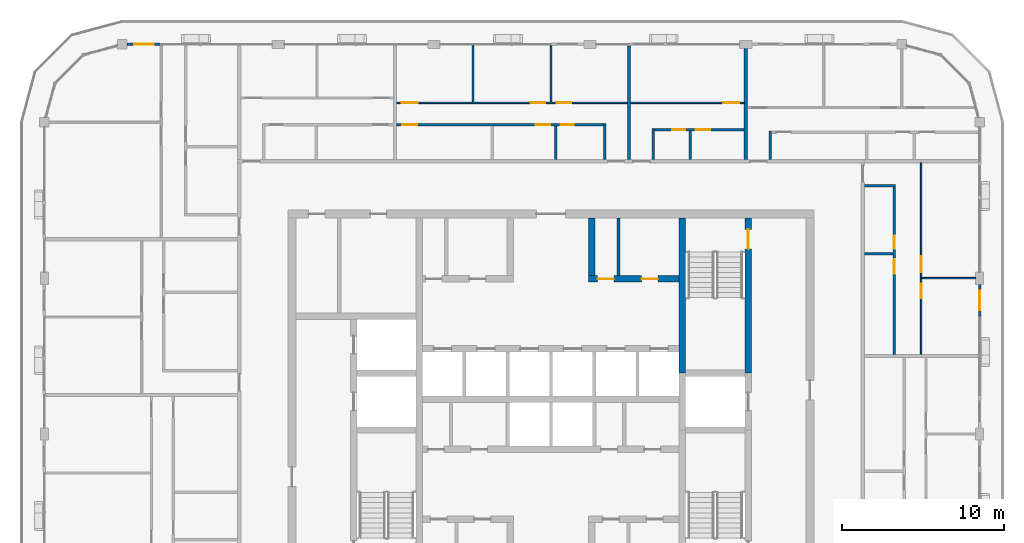
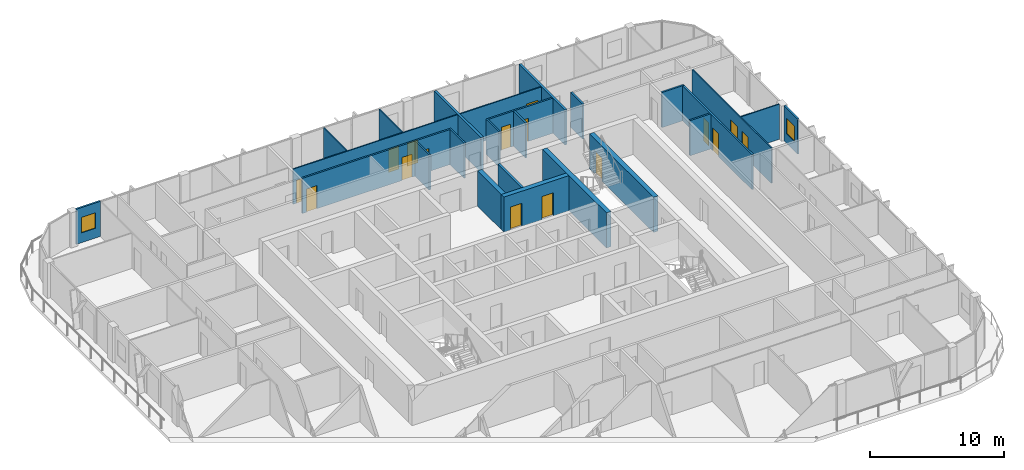
# One storey, part 14 of 21: 25 walls, 16 doors, 2 windows, 18 openings.
"""IFC4 building model written with IfcOpenShell, lengths in metres."""

from ifc_helpers import new_model, si_unit, direction, frame, frame_2d, origin, place, context, subcontext, project, spatial, rectangle, extrude, material, layer, layer_set, type_object, element, fill, save


model = new_model("IFC4")

# Units and contexts
model_context = context("Model", 3, precision=1e-05, world=origin(), true_north=direction((0.0, 1.0)))
body_context = subcontext(model_context, "Body", "Model", "MODEL_VIEW")
ifc_project = project(units=[si_unit("LENGTHUNIT", "METRE"), si_unit("AREAUNIT", "SQUARE_METRE"), si_unit("VOLUMEUNIT", "CUBIC_METRE"), si_unit("PLANEANGLEUNIT", "RADIAN"), si_unit("MASSUNIT", "GRAM", prefix="KILO")], contexts=[model_context])

# Site, building, storey
site_placement = place(None, origin())
site = spatial("IfcSite", under=ifc_project, at=site_placement, CompositionType="ELEMENT")
building_placement = place(site_placement, origin())
building = spatial("IfcBuilding", under=site, at=building_placement, Name="Madar Terraces", CompositionType="ELEMENT")
storey_placement = place(building_placement, frame((0.0, 0.0, 268.60009765625)))
storey = spatial("IfcBuildingStorey", under=building, at=storey_placement, Name="L70", CompositionType="ELEMENT", Elevation=268.60009765625)

# Wall
ifc_material_1 = material(Name="Concrete C50/60", Category="concrete")
ifc_layer_1 = layer(ifc_material_1, 0.39990234375)
ifc_layer_set_1 = layer_set([ifc_layer_1], Name="Concrete C50/60 (CIW6 RC wall 400)")
wall_type_1 = type_object("IfcWallType", Name="CIW6 RC wall 400", PredefinedType="SHEAR", material=ifc_layer_set_1)
wall_1_placement = place(storey_placement, frame((39.300048828125, 27.75, 0.0), z_axis=(0.0, 0.0, 1.0), x_axis=(0.0, 1.0, 0.0)))
element("IfcWall", 1, at=wall_1_placement, inside=storey, type_object=wall_type_1, Name="CORE SHAFT WALL", PredefinedType="SHEAR", context=body_context, shape_type="SweptSolid", body=[
    extrude(rectangle(XDim=9.550048828125, YDim=0.39990234375, at=frame_2d((4.77490234375, 0.0))), origin(), (0.0, 0.0, 1.0), 3.199951171875),
])

# Wall, opening, door
wall_2_placement = place(storey_placement, frame((43.35009765625, 27.75, 0.0), z_axis=(0.0, 0.0, 1.0), x_axis=(0.0, 1.0, 0.0)))
wall_2 = element("IfcWall", 2, at=wall_2_placement, inside=storey, type_object=wall_type_1, Name="CORE SHAFT WALL", PredefinedType="SHEAR", context=body_context, shape_type="SweptSolid", body=[
    extrude(rectangle(XDim=9.550048828125, YDim=0.39990234375, at=frame_2d((4.77490234375, 0.0))), origin(), (0.0, 0.0, 1.0), 3.199951171875),
])
opening_1_placement = place(wall_2_placement, frame((7.64990234375, 0.0, 0.0)))
opening_1 = element("IfcOpeningElement", 3, at=opening_1_placement, cuts=wall_2, Name="Opening SD1", PredefinedType="OPENING", context=body_context, shape_type="SweptSolid", body=[
    extrude(rectangle(XDim=1.199951171875, YDim=2.10009765625, at=frame_2d((0.60009765625, 1.050048828125))), frame((0.0, 0.2099609375, 0.0), z_axis=(0.0, -1.0, 0.0), x_axis=(1.0, 0.0, 0.0)), (0.0, 0.0, 1.0), 0.419921875),
])
ifc_material_2 = material(Name="Steel door leaf", Category="steel")
door_type_1 = type_object("IfcDoorType", Name="Stair door 1200 x 2100", OperationType="NOTDEFINED", PredefinedType="DOOR", material=ifc_material_2)
door_1_placement = place(opening_1_placement, origin())
door_1 = element("IfcDoor", 4, at=door_1_placement, inside=storey, type_object=door_type_1, Name="STAIR DOOR", OperationType="SINGLE_SWING_RIGHT", OverallHeight=2.10009765625, OverallWidth=1.199951171875, PredefinedType="DOOR", context=body_context, shape_type="SweptSolid", body=[
    extrude(rectangle(XDim=1.199951171875, YDim=2.10009765625, at=frame_2d((0.60009765625, 1.050048828125))), frame((0.0, 0.02490234375, 0.0), z_axis=(0.0, -1.0, 0.0), x_axis=(1.0, 0.0, 0.0)), (0.0, 0.0, 1.0), 0.050048828125),
])
fill(opening_1, door_1)

# Wall, openings, doors
wall_3_placement = place(storey_placement, frame((33.5, 33.550048828125, 0.0), z_axis=(0.0, 0.0, 1.0), x_axis=(1.0, 0.0, 0.0)))
wall_3 = element("IfcWall", 5, at=wall_3_placement, inside=storey, type_object=wall_type_1, Name="CORE SHAFT WALL", PredefinedType="SHEAR", context=body_context, shape_type="SweptSolid", body=[
    extrude(rectangle(XDim=5.60009765625, YDim=0.39990234375, at=frame_2d((2.800048828125, 0.0))), origin(), (0.0, 0.0, 1.0), 3.199951171875),
])
opening_2_placement = place(wall_3_placement, frame((0.577880859375, 0.0, 0.0)))
opening_2 = element("IfcOpeningElement", 6, at=opening_2_placement, cuts=wall_3, Name="Opening KD2", PredefinedType="OPENING", context=body_context, shape_type="SweptSolid", body=[
    extrude(rectangle(XDim=1.0, YDim=2.10009765625, at=frame_2d((0.5, 1.050048828125))), frame((0.0, 0.2099609375, 0.0), z_axis=(0.0, -1.0, 0.0), x_axis=(1.0, 0.0, 0.0)), (0.0, 0.0, 1.0), 0.419921875),
])
opening_3_placement = place(wall_3_placement, frame((3.278076171875, 0.0, 0.0)))
opening_3 = element("IfcOpeningElement", 7, at=opening_3_placement, cuts=wall_3, Name="Opening KD2", PredefinedType="OPENING", context=body_context, shape_type="SweptSolid", body=[
    extrude(rectangle(XDim=1.0, YDim=2.10009765625, at=frame_2d((0.5, 1.050048828125))), frame((0.0, 0.2099609375, 0.0), z_axis=(0.0, -1.0, 0.0), x_axis=(1.0, 0.0, 0.0)), (0.0, 0.0, 1.0), 0.419921875),
])
ifc_material_3 = material(Name="Steel door leaf", Category="steel")
door_type_2 = type_object("IfcDoorType", Name="Service room door 1000 x 2100", OperationType="NOTDEFINED", PredefinedType="DOOR", material=ifc_material_3)
door_2_placement = place(opening_2_placement, frame((1.0, 0.0, 0.0), z_axis=(0.0, 0.0, 1.0), x_axis=(-1.0, 0.0, 0.0)))
door_2 = element("IfcDoor", 8, at=door_2_placement, inside=storey, type_object=door_type_2, Name="SERVICE ROOM DOOR", OperationType="SINGLE_SWING_LEFT", OverallHeight=2.10009765625, OverallWidth=1.0, PredefinedType="DOOR", context=body_context, shape_type="SweptSolid", body=[
    extrude(rectangle(XDim=1.0, YDim=2.10009765625, at=frame_2d((0.5, 1.050048828125))), frame((0.0, 0.02490234375, 0.0), z_axis=(0.0, -1.0, 0.0), x_axis=(1.0, 0.0, 0.0)), (0.0, 0.0, 1.0), 0.050048828125),
])
fill(opening_2, door_2)
door_3_placement = place(opening_3_placement, frame((1.0, 0.0, 0.0), z_axis=(0.0, 0.0, 1.0), x_axis=(-1.0, 0.0, 0.0)))
door_3 = element("IfcDoor", 9, at=door_3_placement, inside=storey, type_object=door_type_2, Name="SERVICE ROOM DOOR", OperationType="SINGLE_SWING_RIGHT", OverallHeight=2.10009765625, OverallWidth=1.0, PredefinedType="DOOR", context=body_context, shape_type="SweptSolid", body=[
    extrude(rectangle(XDim=1.0, YDim=2.10009765625, at=frame_2d((0.5, 1.050048828125))), frame((0.0, 0.02490234375, 0.0), z_axis=(0.0, -1.0, 0.0), x_axis=(1.0, 0.0, 0.0)), (0.0, 0.0, 1.0), 0.050048828125),
])
fill(opening_3, door_3)

# Walls
wall_4_placement = place(storey_placement, frame((33.699951171875, 33.75, 0.0), z_axis=(0.0, 0.0, 1.0), x_axis=(0.0, 1.0, 0.0)))
element("IfcWall", 10, at=wall_4_placement, inside=storey, type_object=wall_type_1, Name="CORE SHAFT WALL", PredefinedType="SHEAR", context=body_context, shape_type="SweptSolid", body=[
    extrude(rectangle(XDim=3.550048828125, YDim=0.39990234375, at=frame_2d((1.77490234375, 0.0))), origin(), (0.0, 0.0, 1.0), 3.199951171875),
])
ifc_material_4 = material(Name="Masonry blockwork", Category="masonry")
ifc_layer_2 = layer(ifc_material_4, 0.199951171875)
ifc_layer_set_2 = layer_set([ifc_layer_2], Name="Core partition 200 blockwork")
wall_type_2 = type_object("IfcWallType", Name="Core partition 200 blockwork", PredefinedType="PARTITIONING", material=ifc_layer_set_2)
wall_5_placement = place(storey_placement, frame((35.35595703125, 33.75, 0.0), z_axis=(0.0, 0.0, 1.0), x_axis=(0.0, 1.0, 0.0)))
element("IfcWall", 11, at=wall_5_placement, inside=storey, type_object=wall_type_2, Name="SERVICE ROOM PARTITION", PredefinedType="PARTITIONING", context=body_context, shape_type="SweptSolid", body=[
    extrude(rectangle(XDim=3.550048828125, YDim=0.199951171875, at=frame_2d((1.77490234375, 0.0))), origin(), (0.0, 0.0, 1.0), 3.199951171875),
])

# Wall, opening, window
ifc_material_5 = material(Name="Aluminium composite panel, black, over insulated backing", Category="aluminium")
ifc_layer_3 = layer(ifc_material_5, 0.14990234375)
ifc_layer_set_3 = layer_set([ifc_layer_3], Name="Facade bay panel 150")
wall_type_3 = type_object("IfcWallType", Name="Facade bay panel 150", PredefinedType="SOLIDWALL", material=ifc_layer_set_3)
wall_6_placement = place(storey_placement, frame((57.60009765625, 31.199951171875, 0.0), z_axis=(0.0, 0.0, 1.0), x_axis=(0.0, 1.0, 0.0)))
wall_6 = element("IfcWall", 12, at=wall_6_placement, inside=storey, type_object=wall_type_3, Name="Facade bay panel", PredefinedType="SOLIDWALL", context=body_context, shape_type="SweptSolid", body=[
    extrude(rectangle(XDim=2.025146484375, YDim=0.14990234375, at=frame_2d((1.0126953125, 0.0))), origin(), (0.0, 0.0, 1.0), 3.199951171875),
])
opening_4_placement = place(wall_6_placement, frame((0.41259765625, 0.0, 0.89990234375)))
opening_4 = element("IfcOpeningElement", 13, at=opening_4_placement, cuts=wall_6, Name="Opening W1", PredefinedType="OPENING", context=body_context, shape_type="SweptSolid", body=[
    extrude(rectangle(XDim=1.199951171875, YDim=1.39990234375, at=frame_2d((0.60009765625, 0.699951171875))), frame((0.0, 0.0849609375, 0.0), z_axis=(0.0, -1.0, 0.0), x_axis=(1.0, 0.0, 0.0)), (0.0, 0.0, 1.0), 0.169921875),
])
ifc_material_6 = material(Name="Glass, clear, with black aluminium frame", Category="aluminium")
window_type = type_object("IfcWindowType", Name="Vent window 1200 x 1400", PartitioningType="SINGLE_PANEL", PredefinedType="WINDOW", material=ifc_material_6)
window_1_placement = place(opening_4_placement, origin())
window_1 = element("IfcWindow", 14, at=window_1_placement, inside=storey, type_object=window_type, Name="Operable vent window", OverallHeight=1.39990234375, OverallWidth=1.199951171875, PartitioningType="SINGLE_PANEL", PredefinedType="WINDOW", context=body_context, shape_type="SweptSolid", body=[
    extrude(rectangle(XDim=1.199951171875, YDim=1.39990234375, at=frame_2d((0.60009765625, 0.699951171875))), frame((0.0, 0.030029296875, 0.0), z_axis=(0.0, -1.0, 0.0), x_axis=(1.0, 0.0, 0.0)), (0.0, 0.0, 1.0), 0.06005859375),
])
fill(opening_4, window_1)

wall_7_placement = place(storey_placement, frame((7.199951171875, 48.0, 0.0), z_axis=(0.0, 0.0, 1.0), x_axis=(-1.0, 0.0, 0.0)))
wall_7 = element("IfcWall", 15, at=wall_7_placement, inside=storey, type_object=wall_type_3, Name="Facade bay panel", PredefinedType="SOLIDWALL", context=body_context, shape_type="SweptSolid", body=[
    extrude(rectangle(XDim=2.099853515625, YDim=0.14990234375, at=frame_2d((1.0498046875, 0.0))), origin(), (0.0, 0.0, 1.0), 3.199951171875),
])
opening_5_placement = place(wall_7_placement, frame((0.449951171875, 0.0, 0.89990234375)))
opening_5 = element("IfcOpeningElement", 16, at=opening_5_placement, cuts=wall_7, Name="Opening W1", PredefinedType="OPENING", context=body_context, shape_type="SweptSolid", body=[
    extrude(rectangle(XDim=1.199951171875, YDim=1.39990234375, at=frame_2d((0.60009765625, 0.699951171875))), frame((0.0, 0.0849609375, 0.0), z_axis=(0.0, -1.0, 0.0), x_axis=(1.0, 0.0, 0.0)), (0.0, 0.0, 1.0), 0.169921875),
])
window_2_placement = place(opening_5_placement, origin())
window_2 = element("IfcWindow", 17, at=window_2_placement, inside=storey, type_object=window_type, Name="Operable vent window", OverallHeight=1.39990234375, OverallWidth=1.199951171875, PartitioningType="SINGLE_PANEL", PredefinedType="WINDOW", context=body_context, shape_type="SweptSolid", body=[
    extrude(rectangle(XDim=1.199951171875, YDim=1.39990234375, at=frame_2d((0.60009765625, 0.699951171875))), frame((0.0, 0.030029296875, 0.0), z_axis=(0.0, -1.0, 0.0), x_axis=(1.0, 0.0, 0.0)), (0.0, 0.0, 1.0), 0.06005859375),
])
fill(opening_5, window_2)

# Wall
ifc_material_7 = material(Name="Gypsum board on steel studs", Category="steel")
ifc_layer_4 = layer(ifc_material_7, 0.10009765625)
ifc_layer_set_4 = layer_set([ifc_layer_4], Name="Flat partition 100")
wall_type_4 = type_object("IfcWallType", Name="Flat partition 100", PredefinedType="PARTITIONING", material=ifc_layer_set_4)
wall_8_placement = place(storey_placement, frame((54.050048828125, 33.60009765625, 0.0), z_axis=(0.0, 0.0, 1.0), x_axis=(1.0, 0.0, 0.0)))
element("IfcWall", 18, at=wall_8_placement, inside=storey, type_object=wall_type_4, Name="Flat partition 100", PredefinedType="PARTITIONING", context=body_context, shape_type="SweptSolid", body=[
    extrude(rectangle(XDim=3.300048828125, YDim=0.10009765625, at=frame_2d((1.64990234375, 0.0))), origin(), (0.0, 0.0, 1.0), 3.199951171875),
])

# Wall, openings, doors
wall_9_placement = place(storey_placement, frame((54.0, 40.699951171875, 0.0), z_axis=(0.0, 0.0, 1.0), x_axis=(0.0, -1.0, 0.0)))
wall_9 = element("IfcWall", 19, at=wall_9_placement, inside=storey, type_object=wall_type_4, Name="Flat partition 100", PredefinedType="PARTITIONING", context=body_context, shape_type="SweptSolid", body=[
    extrude(rectangle(XDim=11.800048828125, YDim=0.10009765625, at=frame_2d((5.89990234375, 0.0))), origin(), (0.0, 0.0, 1.0), 3.199951171875),
])
opening_6_placement = place(wall_9_placement, frame((5.75, 0.0, 0.0)))
opening_6 = element("IfcOpeningElement", 20, at=opening_6_placement, cuts=wall_9, Name="Opening D3", PredefinedType="OPENING", context=body_context, shape_type="SweptSolid", body=[
    extrude(rectangle(XDim=1.0, YDim=2.10009765625, at=frame_2d((0.5, 1.050048828125))), frame((0.0, 0.06005859375, 0.0), z_axis=(0.0, -1.0, 0.0), x_axis=(1.0, 0.0, 0.0)), (0.0, 0.0, 1.0), 0.1201171875),
])
opening_7_placement = place(wall_9_placement, frame((7.449951171875, 0.0, 0.0)))
opening_7 = element("IfcOpeningElement", 21, at=opening_7_placement, cuts=wall_9, Name="Opening D2", PredefinedType="OPENING", context=body_context, shape_type="SweptSolid", body=[
    extrude(rectangle(XDim=0.89990234375, YDim=2.10009765625, at=frame_2d((0.449951171875, 1.050048828125))), frame((0.0, 0.06005859375, 0.0), z_axis=(0.0, -1.0, 0.0), x_axis=(1.0, 0.0, 0.0)), (0.0, 0.0, 1.0), 0.1201171875),
])
ifc_material_8 = material(Name="Timber door leaf", Category="wood")
door_type_3 = type_object("IfcDoorType", Name="Flat living room door 1000", OperationType="NOTDEFINED", PredefinedType="DOOR", material=ifc_material_8)
door_4_placement = place(opening_6_placement, origin())
door_4 = element("IfcDoor", 22, at=door_4_placement, inside=storey, type_object=door_type_3, Name="Flat living room door 1000", OperationType="SINGLE_SWING_RIGHT", OverallHeight=2.10009765625, OverallWidth=1.0, PredefinedType="DOOR", context=body_context, shape_type="SweptSolid", body=[
    extrude(rectangle(XDim=1.0, YDim=2.10009765625, at=frame_2d((0.5, 1.050048828125))), frame((0.0, 0.02490234375, 0.0), z_axis=(0.0, -1.0, 0.0), x_axis=(1.0, 0.0, 0.0)), (0.0, 0.0, 1.0), 0.050048828125),
])
fill(opening_6, door_4)
ifc_material_9 = material(Name="Timber door leaf", Category="wood")
door_type_4 = type_object("IfcDoorType", Name="Flat room door 900", OperationType="NOTDEFINED", PredefinedType="DOOR", material=ifc_material_9)
door_5_placement = place(opening_7_placement, origin())
door_5 = element("IfcDoor", 23, at=door_5_placement, inside=storey, type_object=door_type_4, Name="Flat room door 900", OperationType="SINGLE_SWING_LEFT", OverallHeight=2.10009765625, OverallWidth=0.89990234375, PredefinedType="DOOR", context=body_context, shape_type="SweptSolid", body=[
    extrude(rectangle(XDim=0.89990234375, YDim=2.10009765625, at=frame_2d((0.449951171875, 1.050048828125))), frame((0.0, 0.02490234375, 0.0), z_axis=(0.0, -1.0, 0.0), x_axis=(1.0, 0.0, 0.0)), (0.0, 0.0, 1.0), 0.050048828125),
])
fill(opening_7, door_5)

# Wall, opening, door
wall_10_placement = place(storey_placement, frame((36.10009765625, 44.39990234375, 0.0), z_axis=(0.0, 0.0, 1.0), x_axis=(1.0, 0.0, 0.0)))
wall_10 = element("IfcWall", 24, at=wall_10_placement, inside=storey, type_object=wall_type_4, Name="Flat partition 100", PredefinedType="PARTITIONING", context=body_context, shape_type="SweptSolid", body=[
    extrude(rectangle(XDim=7.0, YDim=0.10009765625, at=frame_2d((3.5, 0.0))), origin(), (0.0, 0.0, 1.0), 3.199951171875),
])
opening_8_placement = place(wall_10_placement, frame((5.699951171875, 0.0, 0.0)))
opening_8 = element("IfcOpeningElement", 25, at=opening_8_placement, cuts=wall_10, Name="Opening D3", PredefinedType="OPENING", context=body_context, shape_type="SweptSolid", body=[
    extrude(rectangle(XDim=1.0, YDim=2.10009765625, at=frame_2d((0.5, 1.050048828125))), frame((0.0, 0.06005859375, 0.0), z_axis=(0.0, -1.0, 0.0), x_axis=(1.0, 0.0, 0.0)), (0.0, 0.0, 1.0), 0.1201171875),
])
door_6_placement = place(opening_8_placement, origin())
door_6 = element("IfcDoor", 26, at=door_6_placement, inside=storey, type_object=door_type_3, Name="Flat living room door 1000", OperationType="SINGLE_SWING_RIGHT", OverallHeight=2.10009765625, OverallWidth=1.0, PredefinedType="DOOR", context=body_context, shape_type="SweptSolid", body=[
    extrude(rectangle(XDim=1.0, YDim=2.10009765625, at=frame_2d((0.5, 1.050048828125))), frame((0.0, 0.02490234375, 0.0), z_axis=(0.0, -1.0, 0.0), x_axis=(1.0, 0.0, 0.0)), (0.0, 0.0, 1.0), 0.050048828125),
])
fill(opening_8, door_6)

# Walls
for number, where, z_axis, x_axis, name in (
    (27, (31.199951171875, 44.449951171875, 0.0), (0.0, 0.0, 1.0), (0.0, 1.0, 0.0), "Flat partition 100"),
    (28, (26.39990234375, 44.449951171875, 0.0), (0.0, 0.0, 1.0), (0.0, 1.0, 0.0), "Flat partition 100"),
):
    element("IfcWall", number, at=place(storey_placement, frame(where, z_axis=z_axis, x_axis=x_axis)), inside=storey, type_object=wall_type_4, Name=name, PredefinedType="PARTITIONING", context=body_context, shape_type="SweptSolid", body=[
        extrude(rectangle(XDim=3.449951171875, YDim=0.10009765625, at=frame_2d((1.72509765625, 0.0))), origin(), (0.0, 0.0, 1.0), 3.199951171875),
    ])

# Wall, openings, doors
wall_11_placement = place(storey_placement, frame((21.699951171875, 44.39990234375, 0.0), z_axis=(0.0, 0.0, 1.0), x_axis=(1.0, 0.0, 0.0)))
wall_11 = element("IfcWall", 29, at=wall_11_placement, inside=storey, type_object=wall_type_4, Name="Flat partition 100", PredefinedType="PARTITIONING", context=body_context, shape_type="SweptSolid", body=[
    extrude(rectangle(XDim=14.199951171875, YDim=0.10009765625, at=frame_2d((7.10009765625, 0.0))), origin(), (0.0, 0.0, 1.0), 3.199951171875),
])
opening_9_placement = place(wall_11_placement, frame((9.85009765625, 0.0, 0.0)))
opening_9 = element("IfcOpeningElement", 30, at=opening_9_placement, cuts=wall_11, Name="Opening D2", PredefinedType="OPENING", context=body_context, shape_type="SweptSolid", body=[
    extrude(rectangle(XDim=0.89990234375, YDim=2.10009765625, at=frame_2d((0.449951171875, 1.050048828125))), frame((0.0, 0.06005859375, 0.0), z_axis=(0.0, -1.0, 0.0), x_axis=(1.0, 0.0, 0.0)), (0.0, 0.0, 1.0), 0.1201171875),
])
opening_10_placement = place(wall_11_placement, frame((8.25, 0.0, 0.0)))
opening_10 = element("IfcOpeningElement", 31, at=opening_10_placement, cuts=wall_11, Name="Opening D2", PredefinedType="OPENING", context=body_context, shape_type="SweptSolid", body=[
    extrude(rectangle(XDim=0.89990234375, YDim=2.10009765625, at=frame_2d((0.449951171875, 1.050048828125))), frame((0.0, 0.06005859375, 0.0), z_axis=(0.0, -1.0, 0.0), x_axis=(1.0, 0.0, 0.0)), (0.0, 0.0, 1.0), 0.1201171875),
])
opening_11_placement = place(wall_11_placement, frame((0.300048828125, 0.0, 0.0)))
opening_11 = element("IfcOpeningElement", 32, at=opening_11_placement, cuts=wall_11, Name="Opening D3", PredefinedType="OPENING", context=body_context, shape_type="SweptSolid", body=[
    extrude(rectangle(XDim=1.0, YDim=2.10009765625, at=frame_2d((0.5, 1.050048828125))), frame((0.0, 0.06005859375, 0.0), z_axis=(0.0, -1.0, 0.0), x_axis=(1.0, 0.0, 0.0)), (0.0, 0.0, 1.0), 0.1201171875),
])
door_7_placement = place(opening_11_placement, origin())
door_7 = element("IfcDoor", 33, at=door_7_placement, inside=storey, type_object=door_type_3, Name="Flat living room door 1000", OperationType="SINGLE_SWING_LEFT", OverallHeight=2.10009765625, OverallWidth=1.0, PredefinedType="DOOR", context=body_context, shape_type="SweptSolid", body=[
    extrude(rectangle(XDim=1.0, YDim=2.10009765625, at=frame_2d((0.5, 1.050048828125))), frame((0.0, 0.02490234375, 0.0), z_axis=(0.0, -1.0, 0.0), x_axis=(1.0, 0.0, 0.0)), (0.0, 0.0, 1.0), 0.050048828125),
])
fill(opening_11, door_7)
door_8_placement = place(opening_9_placement, origin())
door_8 = element("IfcDoor", 34, at=door_8_placement, inside=storey, type_object=door_type_4, Name="Flat room door 900", OperationType="SINGLE_SWING_LEFT", OverallHeight=2.10009765625, OverallWidth=0.89990234375, PredefinedType="DOOR", context=body_context, shape_type="SweptSolid", body=[
    extrude(rectangle(XDim=0.89990234375, YDim=2.10009765625, at=frame_2d((0.449951171875, 1.050048828125))), frame((0.0, 0.02490234375, 0.0), z_axis=(0.0, -1.0, 0.0), x_axis=(1.0, 0.0, 0.0)), (0.0, 0.0, 1.0), 0.050048828125),
])
fill(opening_9, door_8)
door_9_placement = place(opening_10_placement, origin())
door_9 = element("IfcDoor", 35, at=door_9_placement, inside=storey, type_object=door_type_4, Name="Flat room door 900", OperationType="SINGLE_SWING_RIGHT", OverallHeight=2.10009765625, OverallWidth=0.89990234375, PredefinedType="DOOR", context=body_context, shape_type="SweptSolid", body=[
    extrude(rectangle(XDim=0.89990234375, YDim=2.10009765625, at=frame_2d((0.449951171875, 1.050048828125))), frame((0.0, 0.02490234375, 0.0), z_axis=(0.0, -1.0, 0.0), x_axis=(1.0, 0.0, 0.0)), (0.0, 0.0, 1.0), 0.050048828125),
])
fill(opening_10, door_9)

# Walls
ifc_material_10 = material(Name="Lightweight blockwork", Category="masonry")
ifc_layer_5 = layer(ifc_material_10, 0.199951171875)
ifc_layer_set_5 = layer_set([ifc_layer_5], Name="Flat party and entrance wall 200")
wall_type_5 = type_object("IfcWallType", Name="Flat party and entrance wall 200", PredefinedType="PARTITIONING", material=ifc_layer_set_5)
wall_12_placement = place(storey_placement, frame((43.199951171875, 47.75, 0.0), z_axis=(0.0, 0.0, 1.0), x_axis=(0.0, -1.0, 0.0)))
element("IfcWall", 36, at=wall_12_placement, inside=storey, type_object=wall_type_5, Name="Flat party and entrance wall 200", PredefinedType="PARTITIONING", context=body_context, shape_type="SweptSolid", body=[
    extrude(rectangle(XDim=6.85009765625, YDim=0.199951171875, at=frame_2d((3.425048828125, 0.0))), origin(), (0.0, 0.0, 1.0), 3.199951171875),
])
wall_13_placement = place(storey_placement, frame((36.0, 47.89990234375, 0.0), z_axis=(0.0, 0.0, 1.0), x_axis=(0.0, -1.0, 0.0)))
element("IfcWall", 37, at=wall_13_placement, inside=storey, type_object=wall_type_5, Name="Flat party and entrance wall 200", PredefinedType="PARTITIONING", context=body_context, shape_type="SweptSolid", body=[
    extrude(rectangle(XDim=7.0, YDim=0.199951171875, at=frame_2d((3.5, 0.0))), origin(), (0.0, 0.0, 1.0), 3.199951171875),
])
ifc_material_11 = material(Name="Lightweight blockwork", Category="masonry")
ifc_layer_6 = layer(ifc_material_11, 0.14990234375)
ifc_layer_set_6 = layer_set([ifc_layer_6], Name="Flat wet-room partition 150")
wall_type_6 = type_object("IfcWallType", Name="Flat wet-room partition 150", PredefinedType="PARTITIONING", material=ifc_layer_set_6)
wall_14_placement = place(storey_placement, frame((50.5, 35.094970703125, 0.0), z_axis=(0.0, 0.0, 1.0), x_axis=(1.0, 0.0, 0.0)))
element("IfcWall", 38, at=wall_14_placement, inside=storey, type_object=wall_type_6, Name="Flat wet-room partition 150", PredefinedType="PARTITIONING", context=body_context, shape_type="SweptSolid", body=[
    extrude(rectangle(XDim=1.77490234375, YDim=0.14990234375, at=frame_2d((0.887451171875, 0.0))), origin(), (0.0, 0.0, 1.0), 3.199951171875),
])
wall_15_placement = place(storey_placement, frame((50.5, 39.300048828125, 0.0), z_axis=(0.0, 0.0, 1.0), x_axis=(1.0, 0.0, 0.0)))
element("IfcWall", 39, at=wall_15_placement, inside=storey, type_object=wall_type_6, Name="Flat wet-room partition 150", PredefinedType="PARTITIONING", context=body_context, shape_type="SweptSolid", body=[
    extrude(rectangle(XDim=1.925048828125, YDim=0.14990234375, at=frame_2d((0.96240234375, 0.0))), origin(), (0.0, 0.0, 1.0), 3.199951171875),
])

# Wall, openings, doors
wall_16_placement = place(storey_placement, frame((52.35009765625, 28.89990234375, 0.0), z_axis=(0.0, 0.0, 1.0), x_axis=(0.0, 1.0, 0.0)))
wall_16 = element("IfcWall", 40, at=wall_16_placement, inside=storey, type_object=wall_type_6, Name="Flat wet-room partition 150", PredefinedType="PARTITIONING", context=body_context, shape_type="SweptSolid", body=[
    extrude(rectangle(XDim=10.3251953125, YDim=0.14990234375, at=frame_2d((5.16259765625, 0.0))), origin(), (0.0, 0.0, 1.0), 3.199951171875),
])
opening_12_placement = place(wall_16_placement, frame((6.52001953125, 0.0, 0.0)))
opening_12 = element("IfcOpeningElement", 41, at=opening_12_placement, cuts=wall_16, Name="Opening D4", PredefinedType="OPENING", context=body_context, shape_type="SweptSolid", body=[
    extrude(rectangle(XDim=0.800048828125, YDim=2.10009765625, at=frame_2d((0.39990234375, 1.050048828125))), frame((0.0, 0.0849609375, 0.0), z_axis=(0.0, -1.0, 0.0), x_axis=(1.0, 0.0, 0.0)), (0.0, 0.0, 1.0), 0.169921875),
])
opening_13_placement = place(wall_16_placement, frame((4.969970703125, 0.0, 0.0)))
opening_13 = element("IfcOpeningElement", 42, at=opening_13_placement, cuts=wall_16, Name="Opening D2", PredefinedType="OPENING", context=body_context, shape_type="SweptSolid", body=[
    extrude(rectangle(XDim=0.89990234375, YDim=2.10009765625, at=frame_2d((0.449951171875, 1.050048828125))), frame((0.0, 0.0849609375, 0.0), z_axis=(0.0, -1.0, 0.0), x_axis=(1.0, 0.0, 0.0)), (0.0, 0.0, 1.0), 0.169921875),
])
ifc_material_12 = material(Name="Timber door leaf", Category="wood")
door_type_5 = type_object("IfcDoorType", Name="Flat bathroom door 800", OperationType="NOTDEFINED", PredefinedType="DOOR", material=ifc_material_12)
door_10_placement = place(opening_12_placement, origin())
door_10 = element("IfcDoor", 43, at=door_10_placement, inside=storey, type_object=door_type_5, Name="Flat bathroom door 800", OperationType="SINGLE_SWING_LEFT", OverallHeight=2.10009765625, OverallWidth=0.800048828125, PredefinedType="DOOR", context=body_context, shape_type="SweptSolid", body=[
    extrude(rectangle(XDim=0.800048828125, YDim=2.10009765625, at=frame_2d((0.39990234375, 1.050048828125))), frame((0.0, 0.02490234375, 0.0), z_axis=(0.0, -1.0, 0.0), x_axis=(1.0, 0.0, 0.0)), (0.0, 0.0, 1.0), 0.050048828125),
])
fill(opening_12, door_10)
door_11_placement = place(opening_13_placement, origin())
door_11 = element("IfcDoor", 44, at=door_11_placement, inside=storey, type_object=door_type_4, Name="Flat room door 900", OperationType="SINGLE_SWING_RIGHT", OverallHeight=2.10009765625, OverallWidth=0.89990234375, PredefinedType="DOOR", context=body_context, shape_type="SweptSolid", body=[
    extrude(rectangle(XDim=0.89990234375, YDim=2.10009765625, at=frame_2d((0.449951171875, 1.050048828125))), frame((0.0, 0.02490234375, 0.0), z_axis=(0.0, -1.0, 0.0), x_axis=(1.0, 0.0, 0.0)), (0.0, 0.0, 1.0), 0.050048828125),
])
fill(opening_13, door_11)

# Walls
for number, where, z_axis, x_axis, name in (
    (45, (44.699951171875, 40.89990234375, 0.0), (0.0, 0.0, 1.0), (0.0, 1.0, 0.0), "Flat wet-room partition 150"),
    (46, (39.784912109375, 40.89990234375, 0.0), (0.0, 0.0, 1.0), (0.0, 1.0, 0.0), "Flat wet-room partition 150"),
):
    element("IfcWall", number, at=place(storey_placement, frame(where, z_axis=z_axis, x_axis=x_axis)), inside=storey, type_object=wall_type_6, Name=name, PredefinedType="PARTITIONING", context=body_context, shape_type="SweptSolid", body=[
        extrude(rectangle(XDim=1.775146484375, YDim=0.14990234375, at=frame_2d((0.8876953125, 0.0))), origin(), (0.0, 0.0, 1.0), 3.199951171875),
    ])
wall_17_placement = place(storey_placement, frame((37.5, 40.89990234375, 0.0), z_axis=(0.0, 0.0, 1.0), x_axis=(0.0, 1.0, 0.0)))
element("IfcWall", 47, at=wall_17_placement, inside=storey, type_object=wall_type_6, Name="Flat wet-room partition 150", PredefinedType="PARTITIONING", context=body_context, shape_type="SweptSolid", body=[
    extrude(rectangle(XDim=1.925048828125, YDim=0.14990234375, at=frame_2d((0.96240234375, 0.0))), origin(), (0.0, 0.0, 1.0), 3.199951171875),
])

# Wall, openings, doors
wall_18_placement = place(storey_placement, frame((43.10009765625, 42.75, 0.0), z_axis=(0.0, 0.0, 1.0), x_axis=(-1.0, 0.0, 0.0)))
wall_18 = element("IfcWall", 48, at=wall_18_placement, inside=storey, type_object=wall_type_6, Name="Flat wet-room partition 150", PredefinedType="PARTITIONING", context=body_context, shape_type="SweptSolid", body=[
    extrude(rectangle(XDim=5.525146484375, YDim=0.14990234375, at=frame_2d((2.7626953125, 0.0))), origin(), (0.0, 0.0, 1.0), 3.199951171875),
])
opening_14_placement = place(wall_18_placement, frame((3.639892578125, 0.0, 0.0)))
opening_14 = element("IfcOpeningElement", 49, at=opening_14_placement, cuts=wall_18, Name="Opening D4", PredefinedType="OPENING", context=body_context, shape_type="SweptSolid", body=[
    extrude(rectangle(XDim=0.800048828125, YDim=2.10009765625, at=frame_2d((0.39990234375, 1.050048828125))), frame((0.0, 0.0849609375, 0.0), z_axis=(0.0, -1.0, 0.0), x_axis=(1.0, 0.0, 0.0)), (0.0, 0.0, 1.0), 0.169921875),
])
opening_15_placement = place(wall_18_placement, frame((2.090087890625, 0.0, 0.0)))
opening_15 = element("IfcOpeningElement", 50, at=opening_15_placement, cuts=wall_18, Name="Opening D2", PredefinedType="OPENING", context=body_context, shape_type="SweptSolid", body=[
    extrude(rectangle(XDim=0.89990234375, YDim=2.10009765625, at=frame_2d((0.449951171875, 1.050048828125))), frame((0.0, 0.0849609375, 0.0), z_axis=(0.0, -1.0, 0.0), x_axis=(1.0, 0.0, 0.0)), (0.0, 0.0, 1.0), 0.169921875),
])
door_12_placement = place(opening_14_placement, origin())
door_12 = element("IfcDoor", 51, at=door_12_placement, inside=storey, type_object=door_type_5, Name="Flat bathroom door 800", OperationType="SINGLE_SWING_LEFT", OverallHeight=2.10009765625, OverallWidth=0.800048828125, PredefinedType="DOOR", context=body_context, shape_type="SweptSolid", body=[
    extrude(rectangle(XDim=0.800048828125, YDim=2.10009765625, at=frame_2d((0.39990234375, 1.050048828125))), frame((0.0, 0.02490234375, 0.0), z_axis=(0.0, -1.0, 0.0), x_axis=(1.0, 0.0, 0.0)), (0.0, 0.0, 1.0), 0.050048828125),
])
fill(opening_14, door_12)
door_13_placement = place(opening_15_placement, origin())
door_13 = element("IfcDoor", 52, at=door_13_placement, inside=storey, type_object=door_type_4, Name="Flat room door 900", OperationType="SINGLE_SWING_RIGHT", OverallHeight=2.10009765625, OverallWidth=0.89990234375, PredefinedType="DOOR", context=body_context, shape_type="SweptSolid", body=[
    extrude(rectangle(XDim=0.89990234375, YDim=2.10009765625, at=frame_2d((0.449951171875, 1.050048828125))), frame((0.0, 0.02490234375, 0.0), z_axis=(0.0, -1.0, 0.0), x_axis=(1.0, 0.0, 0.0)), (0.0, 0.0, 1.0), 0.050048828125),
])
fill(opening_15, door_13)

# Walls
wall_19_placement = place(storey_placement, frame((31.488525390625, 40.89990234375, 0.0), z_axis=(0.0, 0.0, 1.0), x_axis=(0.0, 1.0, 0.0)))
element("IfcWall", 53, at=wall_19_placement, inside=storey, type_object=wall_type_6, Name="Flat wet-room partition 150", PredefinedType="PARTITIONING", context=body_context, shape_type="SweptSolid", body=[
    extrude(rectangle(XDim=2.0751953125, YDim=0.14990234375, at=frame_2d((1.03759765625, 0.0))), origin(), (0.0, 0.0, 1.0), 3.199951171875),
])
wall_20_placement = place(storey_placement, frame((34.5, 40.89990234375, 0.0), z_axis=(0.0, 0.0, 1.0), x_axis=(0.0, 1.0, 0.0)))
element("IfcWall", 54, at=wall_20_placement, inside=storey, type_object=wall_type_6, Name="Flat wet-room partition 150", PredefinedType="PARTITIONING", context=body_context, shape_type="SweptSolid", body=[
    extrude(rectangle(XDim=2.22509765625, YDim=0.14990234375, at=frame_2d((1.112548828125, 0.0))), origin(), (0.0, 0.0, 1.0), 3.199951171875),
])

# Wall, openings, doors
wall_21_placement = place(storey_placement, frame((34.425048828125, 43.050048828125, 0.0), z_axis=(0.0, 0.0, 1.0), x_axis=(-1.0, 0.0, 0.0)))
wall_21 = element("IfcWall", 55, at=wall_21_placement, inside=storey, type_object=wall_type_6, Name="Flat wet-room partition 150", PredefinedType="PARTITIONING", context=body_context, shape_type="SweptSolid", body=[
    extrude(rectangle(XDim=12.72509765625, YDim=0.14990234375, at=frame_2d((6.362548828125, 0.0))), origin(), (0.0, 0.0, 1.0), 3.199951171875),
])
opening_16_placement = place(wall_21_placement, frame((1.8115234375, 0.0, 0.0)))
opening_16 = element("IfcOpeningElement", 56, at=opening_16_placement, cuts=wall_21, Name="Opening D4", PredefinedType="OPENING", context=body_context, shape_type="SweptSolid", body=[
    extrude(rectangle(XDim=0.800048828125, YDim=2.10009765625, at=frame_2d((0.39990234375, 1.050048828125))), frame((0.0, 0.0849609375, 0.0), z_axis=(0.0, -1.0, 0.0), x_axis=(1.0, 0.0, 0.0)), (0.0, 0.0, 1.0), 0.169921875),
])
opening_17_placement = place(wall_21_placement, frame((3.261474609375, 0.0, 0.0)))
opening_17 = element("IfcOpeningElement", 57, at=opening_17_placement, cuts=wall_21, Name="Opening D5", PredefinedType="OPENING", context=body_context, shape_type="SweptSolid", body=[
    extrude(rectangle(XDim=0.89990234375, YDim=2.10009765625, at=frame_2d((0.449951171875, 1.050048828125))), frame((0.0, 0.0849609375, 0.0), z_axis=(0.0, -1.0, 0.0), x_axis=(1.0, 0.0, 0.0)), (0.0, 0.0, 1.0), 0.169921875),
])
opening_18_placement = place(wall_21_placement, frame((11.47509765625, 0.0, 0.0)))
opening_18 = element("IfcOpeningElement", 58, at=opening_18_placement, cuts=wall_21, Name="Opening D2", PredefinedType="OPENING", context=body_context, shape_type="SweptSolid", body=[
    extrude(rectangle(XDim=0.89990234375, YDim=2.10009765625, at=frame_2d((0.449951171875, 1.050048828125))), frame((0.0, 0.0849609375, 0.0), z_axis=(0.0, -1.0, 0.0), x_axis=(1.0, 0.0, 0.0)), (0.0, 0.0, 1.0), 0.169921875),
])
ifc_material_13 = material(Name="Timber door leaf", Category="wood")
door_type_6 = type_object("IfcDoorType", Name="Flat accessible bathroom door 900", OperationType="NOTDEFINED", PredefinedType="DOOR", material=ifc_material_13)
door_14_placement = place(opening_17_placement, origin())
door_14 = element("IfcDoor", 59, at=door_14_placement, inside=storey, type_object=door_type_6, Name="Flat accessible bathroom door 900", OperationType="SINGLE_SWING_LEFT", OverallHeight=2.10009765625, OverallWidth=0.89990234375, PredefinedType="DOOR", context=body_context, shape_type="SweptSolid", body=[
    extrude(rectangle(XDim=0.89990234375, YDim=2.10009765625, at=frame_2d((0.449951171875, 1.050048828125))), frame((0.0, 0.02490234375, 0.0), z_axis=(0.0, -1.0, 0.0), x_axis=(1.0, 0.0, 0.0)), (0.0, 0.0, 1.0), 0.050048828125),
])
fill(opening_17, door_14)
door_15_placement = place(opening_16_placement, origin())
door_15 = element("IfcDoor", 60, at=door_15_placement, inside=storey, type_object=door_type_5, Name="Flat bathroom door 800", OperationType="SINGLE_SWING_RIGHT", OverallHeight=2.10009765625, OverallWidth=0.800048828125, PredefinedType="DOOR", context=body_context, shape_type="SweptSolid", body=[
    extrude(rectangle(XDim=0.800048828125, YDim=2.10009765625, at=frame_2d((0.39990234375, 1.050048828125))), frame((0.0, 0.02490234375, 0.0), z_axis=(0.0, -1.0, 0.0), x_axis=(1.0, 0.0, 0.0)), (0.0, 0.0, 1.0), 0.050048828125),
])
fill(opening_16, door_15)
door_16_placement = place(opening_18_placement, origin())
door_16 = element("IfcDoor", 61, at=door_16_placement, inside=storey, type_object=door_type_4, Name="Flat room door 900", OperationType="SINGLE_SWING_RIGHT", OverallHeight=2.10009765625, OverallWidth=0.89990234375, PredefinedType="DOOR", context=body_context, shape_type="SweptSolid", body=[
    extrude(rectangle(XDim=0.89990234375, YDim=2.10009765625, at=frame_2d((0.449951171875, 1.050048828125))), frame((0.0, 0.02490234375, 0.0), z_axis=(0.0, -1.0, 0.0), x_axis=(1.0, 0.0, 0.0)), (0.0, 0.0, 1.0), 0.050048828125),
])
fill(opening_18, door_16)

save(model, "model.ifc")
